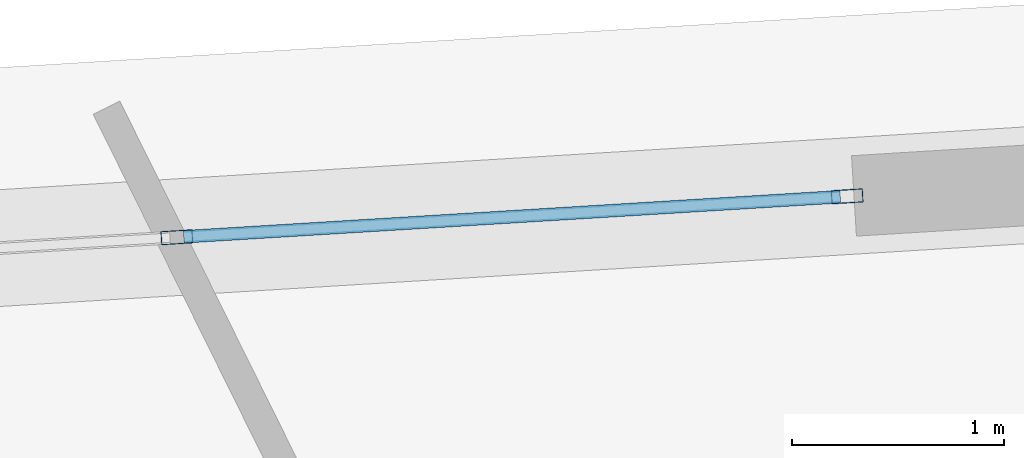
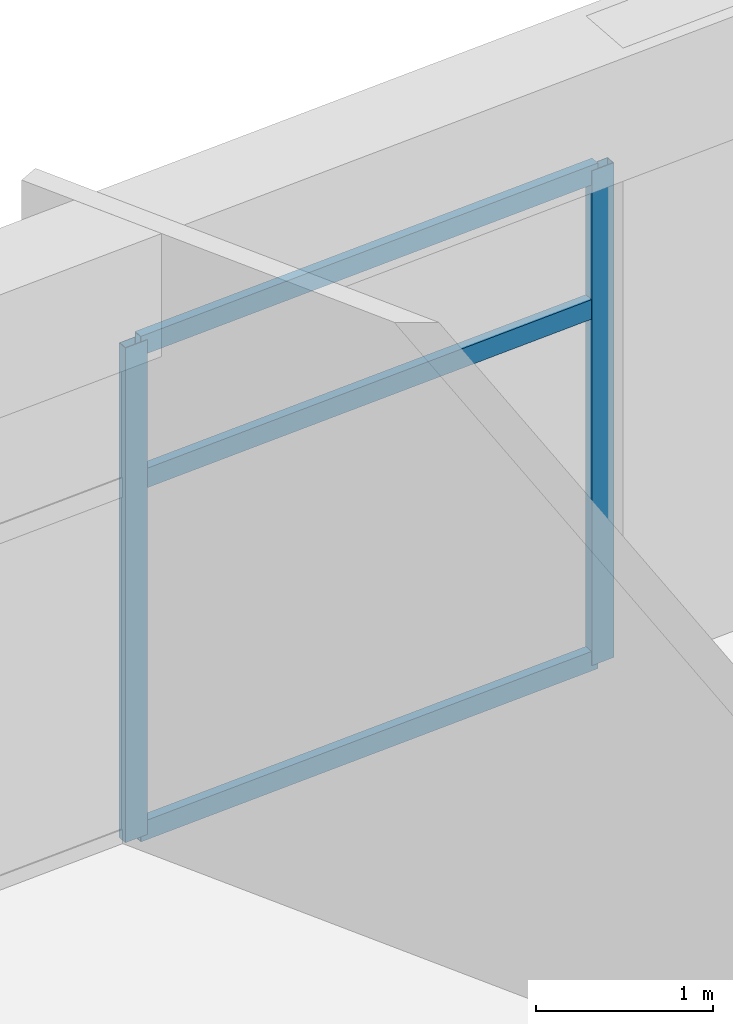
# One storey, part 20 of 39: 5 members, 1 element without a shape of its own.
"""IFC4 building model written with IfcOpenShell, lengths in metres."""

from ifc_helpers import new_model, si_unit, direction, frame, origin, origin_2d, place, context, subcontext, project, spatial, hollow_rectangle, extrude, source, transform, mapped, material, layer, layer_set, material_profile, profile_set, type_object, element, aggregate, save


model = new_model("IFC4")

# Units and contexts
model_context = context("Model", 3, precision=1e-05, world=origin(), true_north=direction((0.0, 1.0)))
body_context = subcontext(model_context, "Body", "Model", "MODEL_VIEW")
ifc_project = project(units=[si_unit("LENGTHUNIT", "METRE"), si_unit("AREAUNIT", "SQUARE_METRE"), si_unit("VOLUMEUNIT", "CUBIC_METRE"), si_unit("PLANEANGLEUNIT", "RADIAN"), si_unit("MASSUNIT", "GRAM", prefix="KILO")], contexts=[model_context])

# Site, building, storey
site_placement = place(None, origin())
site = spatial("IfcSite", under=ifc_project, at=site_placement, CompositionType="ELEMENT")
building_placement = place(site_placement, origin())
building = spatial("IfcBuilding", under=site, at=building_placement, Name="Liaohun Quay Tower", CompositionType="ELEMENT")
storey_placement = place(building_placement, frame((0.0, 0.0, 189.75)))
storey = spatial("IfcBuildingStorey", under=building, at=storey_placement, Name="L49", CompositionType="ELEMENT", Elevation=189.75)

# Curtain wall, members
ifc_material_1 = material(Name="Mid-height zone-break sky-lobby curtain wall")
ifc_layer = layer(ifc_material_1, 0.199951171875, Name="Mid-height zone-break sky-lobby curtain wall")
ifc_layer_set = layer_set([ifc_layer], Name="Mid-height zone-break sky-lobby curtain wall")
curtain_wall_type = type_object("IfcCurtainWallType", Name="CW-SKY-L49", PredefinedType="NOTDEFINED", material=ifc_layer_set)
curtain_wall_placement = place(storey_placement, origin())
curtain_wall = element("IfcCurtainWall", 1, at=curtain_wall_placement, inside=storey, type_object=curtain_wall_type, Name="L49 Panoramic Belvedere Curtain Wall 04", PredefinedType="NOTDEFINED")
ifc_material_2 = material(Name="Anodised aluminium 6063-T6", Category="aluminium")
ifc_material_profile_1 = material_profile(ifc_material_2, hollow_rectangle(XDim=0.06494140625, YDim=0.14990234375, WallThickness=0.00390625, at=origin_2d()), Name="RHS150x65x4")
ifc_profile_set_1 = profile_set([ifc_material_profile_1], Name="Anodised aluminium 6063-T6")
member_type_1 = type_object("IfcMemberType", Name="MEM-CWM-SKY", PredefinedType="MULLION", material=ifc_profile_set_1)
shared_shape_1 = source(origin(), body_context, "Body", "SweptSolid", [
    extrude(hollow_rectangle(XDim=0.06494140625, YDim=0.14990234375, WallThickness=0.00390625, at=origin_2d()), origin(), (0.0, 0.0, 1.0), 3.419921875),
])
member_1_placement = place(storey_placement, frame((50.211669921875, 78.052001953125, 0.0), z_axis=(0.0, 0.0, 1.0), x_axis=(0.06092900609, -0.998142102216, 0.0)))
member_1 = element("IfcMember", 2, at=member_1_placement, type_object=member_type_1, Name="CW4 mullion 1", PredefinedType="MULLION", context=body_context, shape_type="MappedRepresentation", body=[
    mapped(shared_shape_1, transform((0.0, 0.0, 0.0), x_axis=(1.0, 0.0, 0.0), y_axis=(0.0, 1.0, 0.0), z_axis=(0.0, 0.0, 1.0), scale=1.0)),
])
member_2_placement = place(storey_placement, frame((47.049560546875, 77.85888671875, 0.0), z_axis=(0.0, 0.0, 1.0), x_axis=(0.06092900609, -0.998142102216, 0.0)))
member_2 = element("IfcMember", 3, at=member_2_placement, type_object=member_type_1, Name="CW4 mullion 2", PredefinedType="MULLION", context=body_context, shape_type="MappedRepresentation", body=[
    mapped(shared_shape_1, transform((0.0, 0.0, 0.0), x_axis=(1.0, 0.0, 0.0), y_axis=(0.0, 1.0, 0.0), z_axis=(0.0, 0.0, 1.0), scale=1.0)),
])
ifc_material_profile_2 = material_profile(ifc_material_2, hollow_rectangle(XDim=0.06005859375, YDim=0.135009765625, WallThickness=0.00390625, at=origin_2d()), Name="RHS135x60x4")
ifc_profile_set_2 = profile_set([ifc_material_profile_2], Name="Anodised aluminium 6063-T6")
member_type_2 = type_object("IfcMemberType", Name="MEM-CWT-SKY", PredefinedType="USERDEFINED", material=ifc_profile_set_2)
shared_shape_2 = source(origin(), body_context, "Body", "SweptSolid", [
    extrude(hollow_rectangle(XDim=0.06005859375, YDim=0.135009765625, WallThickness=0.00390625, at=origin_2d()), origin(), (0.0, 0.0, 1.0), 3.10302734375),
])
member_3_placement = place(storey_placement, frame((50.17919921875, 78.050048828125, 0.030029296875), z_axis=(-0.998143939683, -0.060898897155, 0.0), x_axis=(0.060898897155, -0.998143939683, 0.0)))
member_3 = element("IfcMember", 4, at=member_3_placement, type_object=member_type_2, Name="CW4 transom 1.1", ObjectType="TRANSOM", PredefinedType="USERDEFINED", context=body_context, shape_type="MappedRepresentation", body=[
    mapped(shared_shape_2, transform((0.0, 0.0, 0.0), x_axis=(1.0, 0.0, 0.0), y_axis=(0.0, 1.0, 0.0), z_axis=(0.0, 0.0, 1.0), scale=1.0)),
])
member_4_placement = place(storey_placement, frame((50.17919921875, 78.050048828125, 2.4619140625), z_axis=(-0.998143939683, -0.060898897155, 0.0), x_axis=(0.060898897155, -0.998143939683, 0.0)))
member_4 = element("IfcMember", 5, at=member_4_placement, type_object=member_type_2, Name="CW4 transom 1.2", ObjectType="TRANSOM", PredefinedType="USERDEFINED", context=body_context, shape_type="MappedRepresentation", body=[
    mapped(shared_shape_2, transform((0.0, 0.0, 0.0), x_axis=(1.0, 0.0, 0.0), y_axis=(0.0, 1.0, 0.0), z_axis=(0.0, 0.0, 1.0), scale=1.0)),
])
member_5_placement = place(storey_placement, frame((50.17919921875, 78.050048828125, 3.389892578125), z_axis=(-0.998143939683, -0.060898897155, 0.0), x_axis=(0.060898897155, -0.998143939683, 0.0)))
member_5 = element("IfcMember", 6, at=member_5_placement, type_object=member_type_2, Name="CW4 transom 1.3", ObjectType="TRANSOM", PredefinedType="USERDEFINED", context=body_context, shape_type="MappedRepresentation", body=[
    mapped(shared_shape_2, transform((0.0, 0.0, 0.0), x_axis=(1.0, 0.0, 0.0), y_axis=(0.0, 1.0, 0.0), z_axis=(0.0, 0.0, 1.0), scale=1.0)),
])
aggregate(curtain_wall, [member_1, member_2, member_3, member_4, member_5])

save(model, "model.ifc")
